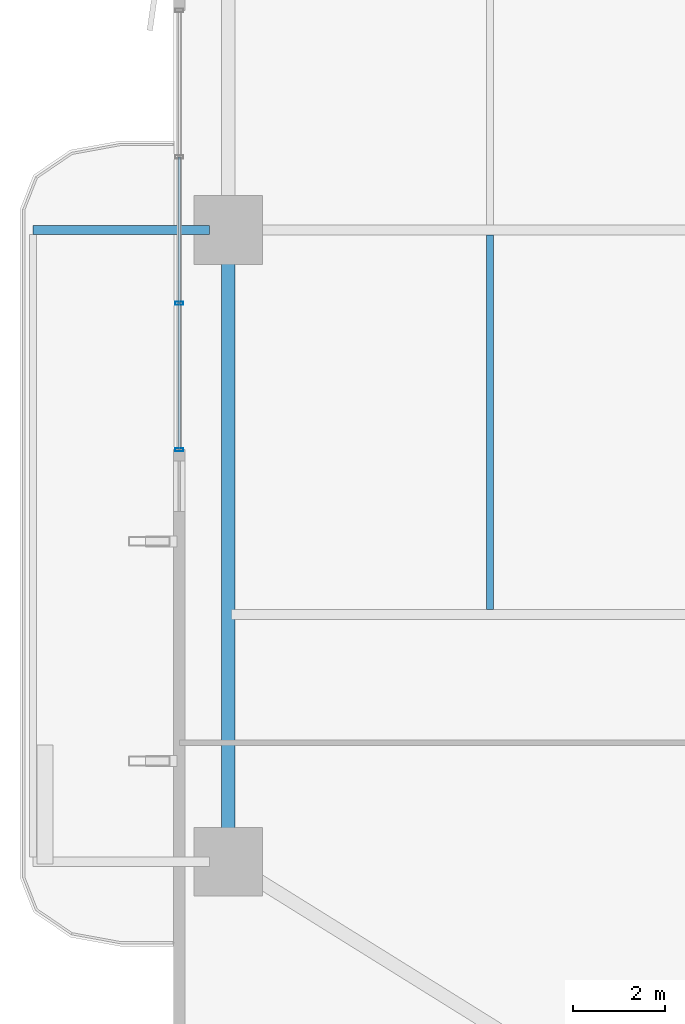
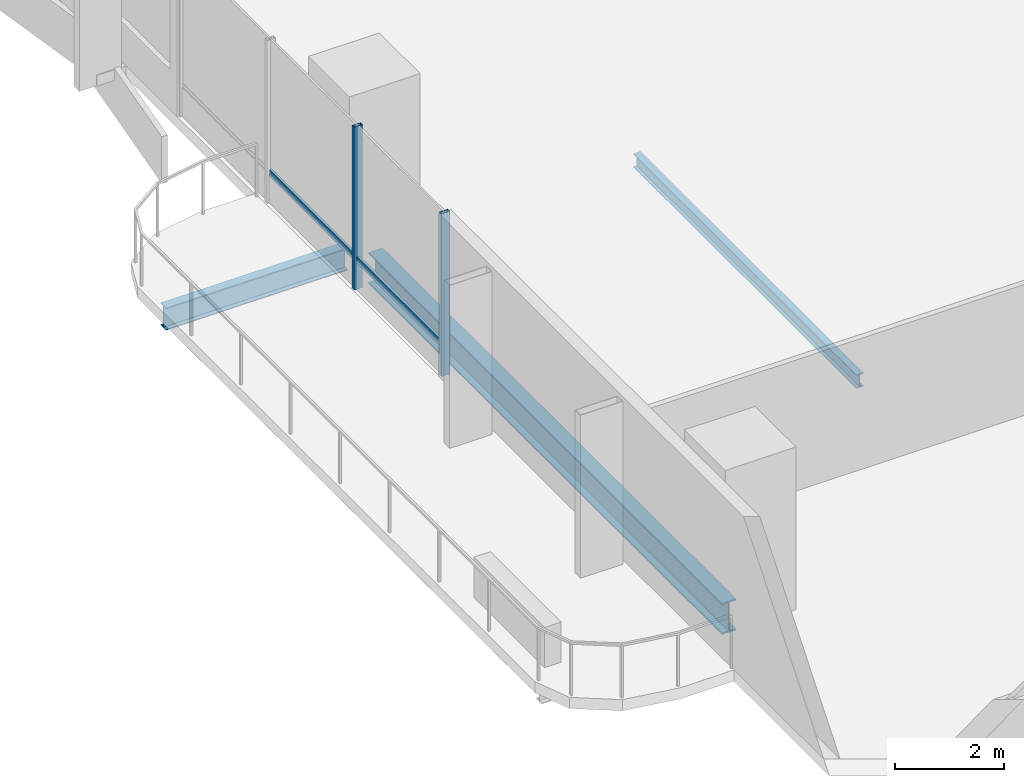
# One storey, part 4 of 24: 4 members, 3 beams, 1 element without a shape of its own.
"""IFC4 building model written with IfcOpenShell, lengths in metres."""

import ifcopenshell
import ifcopenshell.guid

model = None  # the IFC model being written
_history = None  # IfcOwnerHistory: only IFC2X3 demands one
_inside = {}  # id of a spatial element -> (the spatial element, [elements in it])
_under = {}  # id of a project, library or spatial element -> (it, [spatial elements below it])
_declared = {}  # id of a project -> (the project, [libraries it declares])
_typed = {}  # id of a type object -> (the type object, [elements of that type])
_made_of = {}  # id of a material, layer set ... -> (it, [elements and type objects made of it])


def new_model(schema):
    """Start an empty IFC model of exactly this schema.

    Asked for "IFC4X3", IfcOpenShell would pick the latest addendum, in which some entities
    have other attributes; the version numbers below select the first issue.
    IFC2X3 requires an IfcOwnerHistory on every rooted entity: one is made here for all.
    """
    global model, _history
    if schema == "IFC4X3":
        model = ifcopenshell.file(schema_version=(4, 3, 0, 0))
    else:
        model = ifcopenshell.file(schema=schema)
    _inside.clear()
    _under.clear()
    _declared.clear()
    _typed.clear()
    _made_of.clear()
    _history = None
    if model.schema == "IFC2X3":
        org = make("IfcOrganization", Name="unknown")
        user = make(
            "IfcPersonAndOrganization",
            ThePerson=make("IfcPerson", FamilyName="unknown"),
            TheOrganization=org,
        )
        app = make(
            "IfcApplication",
            ApplicationDeveloper=org,
            Version="unknown",
            ApplicationFullName="unknown",
            ApplicationIdentifier="unknown",
        )
        _history = make(
            "IfcOwnerHistory",
            OwningUser=user,
            OwningApplication=app,
            ChangeAction="ADDED",
            CreationDate=0,
        )
    return model


def make(cls, **values):
    """One entity of the class cls with the attributes given. An attribute that is None is left unset."""
    return model.create_entity(
        cls, **{name: value for name, value in values.items() if value is not None}
    )


def rooted(cls, **values):
    """An entity with a GlobalId (a new one), such as an element, a storey or a relation."""
    return make(cls, GlobalId=ifcopenshell.guid.new(), OwnerHistory=_history, **values)


def si_unit(unit_type, name, prefix=None):
    """IfcSIUnit, for example si_unit("LENGTHUNIT", "METRE", prefix="MILLI")."""
    return make("IfcSIUnit", UnitType=unit_type, Prefix=prefix, Name=name)


def assignment(units):
    """IfcUnitAssignment: the units of a project."""
    return None if units is None else make("IfcUnitAssignment", Units=units)


def point(xyz):
    """IfcCartesianPoint."""
    return None if xyz is None else make("IfcCartesianPoint", Coordinates=xyz)


def direction(xyz):
    """IfcDirection."""
    return None if xyz is None else make("IfcDirection", DirectionRatios=xyz)


def frame(location, z_axis=None, x_axis=None):
    """IfcAxis2Placement3D, a coordinate frame: its origin and axes. An axis left out is left unset."""
    return make(
        "IfcAxis2Placement3D",
        Location=point(location),
        Axis=direction(z_axis),
        RefDirection=direction(x_axis),
    )


def frame_2d(location, x_axis=None):
    """IfcAxis2Placement2D, a coordinate frame in the plane: its origin and x axis."""
    return make(
        "IfcAxis2Placement2D", Location=point(location), RefDirection=direction(x_axis)
    )


def origin():
    """The frame at (0, 0, 0) with its axes left unset."""
    return frame((0.0, 0.0, 0.0))


def origin_2d():
    """The frame at (0, 0) in the plane with its x axis left unset."""
    return frame_2d((0.0, 0.0))


def place(relative_to, where):
    """IfcLocalPlacement: puts the frame where relative to a parent placement (None: the world)."""
    return make(
        "IfcLocalPlacement", PlacementRelTo=relative_to, RelativePlacement=where
    )


def context(
    kind, dimensions, precision=None, world=None, true_north=None, identifier=None
):
    """IfcGeometricRepresentationContext, for example the 3D "Model" context."""
    return make(
        "IfcGeometricRepresentationContext",
        ContextIdentifier=identifier,
        ContextType=kind,
        CoordinateSpaceDimension=dimensions,
        Precision=precision,
        WorldCoordinateSystem=world,
        TrueNorth=true_north,
    )


def subcontext(parent, identifier, kind, view, scale=None):
    """IfcGeometricRepresentationSubContext, for example "Body" below "Model"."""
    return make(
        "IfcGeometricRepresentationSubContext",
        ContextIdentifier=identifier,
        ContextType=kind,
        ParentContext=parent,
        TargetScale=scale,
        TargetView=view,
    )


def project(units=None, contexts=None):
    """IfcProject with its units and contexts."""
    return rooted(
        "IfcProject",
        Name="project",
        RepresentationContexts=contexts,
        UnitsInContext=assignment(units),
    )


def spatial(cls, under=None, at=None, **own):
    """A site, building, storey or space (cls), placed at a placement, below another one or the project."""
    s = rooted(cls, ObjectPlacement=at, **own)
    if under is not None:
        _under.setdefault(under.id(), (under, []))[1].append(s)
    return s


def profile(cls, at=None, kind="AREA", **sizes):
    """A parametric profile (cls). Its sizes go by their IFC names, for example OverallWidth=200.0."""
    return make(cls, ProfileType=kind, Position=at, **sizes)


def hollow_rectangle(**sizes):
    """IfcRectangleHollowProfileDef."""
    return profile("IfcRectangleHollowProfileDef", **sizes)


def i_section(**sizes):
    """IfcIShapeProfileDef."""
    return profile("IfcIShapeProfileDef", **sizes)


def extrude(swept, where, along, depth):
    """IfcExtrudedAreaSolid: the profile swept, set in the frame where, extruded along a direction by depth."""
    return make(
        "IfcExtrudedAreaSolid",
        SweptArea=swept,
        Position=where,
        ExtrudedDirection=direction(along),
        Depth=depth,
    )


def shape(context_of_items, identifier, shape_type, items):
    """IfcShapeRepresentation: the items that make up one representation, for example the "Body"."""
    return make(
        "IfcShapeRepresentation",
        ContextOfItems=context_of_items,
        RepresentationIdentifier=identifier,
        RepresentationType=shape_type,
        Items=items,
    )


def material(Name=None, Category=None):
    """IfcMaterial."""
    return make("IfcMaterial", Name=Name, Category=Category)


def layer(
    of_material, thickness, ventilated=None, Name=None, Category=None, Priority=None
):
    """IfcMaterialLayer: one layer of a wall or slab, of a material (None: an air gap)."""
    return make(
        "IfcMaterialLayer",
        Material=of_material,
        LayerThickness=thickness,
        IsVentilated=ventilated,
        Name=Name,
        Category=Category,
        Priority=Priority,
    )


def layer_set(layers, Name=None):
    """IfcMaterialLayerSet."""
    return make("IfcMaterialLayerSet", MaterialLayers=layers, LayerSetName=Name)


def material_profile(
    of_material, cross_section, Name=None, Category=None, Priority=None
):
    """IfcMaterialProfile: a cross section and its material."""
    return make(
        "IfcMaterialProfile",
        Name=Name,
        Material=of_material,
        Profile=cross_section,
        Priority=Priority,
        Category=Category,
    )


def profile_set(profiles, Name=None, composite=None):
    """IfcMaterialProfileSet."""
    return make(
        "IfcMaterialProfileSet",
        Name=Name,
        MaterialProfiles=profiles,
        CompositeProfile=composite,
    )


def made_of(thing, what):
    """Note that an element or type object is made of a material, layer set ...; save() writes the relation."""
    if what is not None:
        _made_of.setdefault(what.id(), (what, []))[1].append(thing)
    return thing


def type_object(cls, material=None, **own):
    """A type object (cls), such as IfcWallType, which elements share."""
    return made_of(rooted(cls, **own), material)


def element(
    cls,
    number,
    at=None,
    inside=None,
    cuts=None,
    type_object=None,
    material=None,
    context=None,
    identifier="Body",
    shape_type=None,
    held_by="IfcProductDefinitionShape",
    body=None,
    shapes=None,
    **own,
):
    """One element of the class cls, such as IfcWall. Its Tag is "e" and its number.

    at: its placement. inside: the storey or other place that contains it. cuts: it is an
    opening in that element (IfcRelVoidsElement). A single representation is given by context,
    identifier, shape_type and body (its items); several are given by shapes. held_by: the class
    of the entity that holds the representations. save() writes the other relations.
    """
    e = rooted(cls, Tag="e%d" % number, ObjectPlacement=at, **own)
    if body is not None:
        shapes = [shape(context, identifier, shape_type, body)]
    if shapes is not None:
        e.Representation = make(held_by, Representations=shapes)
    if inside is not None:
        _inside.setdefault(inside.id(), (inside, []))[1].append(e)
    if cuts is not None:
        rooted(
            "IfcRelVoidsElement", RelatingBuildingElement=cuts, RelatedOpeningElement=e
        )
    if type_object is not None:
        _typed.setdefault(type_object.id(), (type_object, []))[1].append(e)
    return made_of(e, material)


def aggregate(whole, parts):
    """IfcRelAggregates: a whole, such as a stair, and the parts it consists of."""
    return rooted("IfcRelAggregates", RelatingObject=whole, RelatedObjects=parts)


def save(model, path):
    """Write the relations noted so far, then the file.

    IfcRelAggregates (storeys below a building ...), IfcRelContainedInSpatialStructure (elements
    in a storey), IfcRelDefinesByType, IfcRelAssociatesMaterial and IfcRelDeclares: one each for
    every whole, place, type object, material and project.
    """
    for whole, parts in _under.values():
        aggregate(whole, parts)
    for where, things in _inside.values():
        rooted(
            "IfcRelContainedInSpatialStructure",
            RelatedElements=things,
            RelatingStructure=where,
        )
    for kind, things in _typed.values():
        rooted("IfcRelDefinesByType", RelatedObjects=things, RelatingType=kind)
    for what, things in _made_of.values():
        rooted("IfcRelAssociatesMaterial", RelatedObjects=things, RelatingMaterial=what)
    for by, libraries in _declared.values():
        rooted("IfcRelDeclares", RelatingContext=by, RelatedDefinitions=libraries)
    model.write(path)


model = new_model("IFC4")

# Units and contexts
model_context = context("Model", 3, precision=1e-05, world=origin(), true_north=direction((0.0, 1.0)))
body_context = subcontext(model_context, "Body", "Model", "MODEL_VIEW")
ifc_project = project(units=[si_unit("LENGTHUNIT", "METRE"), si_unit("AREAUNIT", "SQUARE_METRE"), si_unit("VOLUMEUNIT", "CUBIC_METRE"), si_unit("PLANEANGLEUNIT", "RADIAN"), si_unit("MASSUNIT", "GRAM", prefix="KILO")], contexts=[model_context])

# Site, building, storey
site_placement = place(None, origin())
site = spatial("IfcSite", under=ifc_project, at=site_placement, CompositionType="ELEMENT")
building_placement = place(site_placement, origin())
building = spatial("IfcBuilding", under=site, at=building_placement, Name="Belovzor Exchange Tower", CompositionType="ELEMENT")
storey_placement = place(building_placement, frame((0.0, 0.0, 96.300048828125)))
storey = spatial("IfcBuildingStorey", under=building, at=storey_placement, Name="L23", CompositionType="ELEMENT", Elevation=96.300048828125)

# Beams
ifc_material_1 = material(Name="Steel S355", Category="steel")
ifc_material_profile_1 = material_profile(ifc_material_1, i_section(OverallWidth=0.199951171875, OverallDepth=0.5, WebThickness=0.01025390625, FlangeThickness=0.01611328125, at=origin_2d()))
ifc_profile_set_1 = profile_set([ifc_material_profile_1], Name="Steel S355")
beam_type_1 = type_object("IfcBeamType", Name="Planted Balcony Cantilever Beam IPE 500", PredefinedType="BEAM", material=ifc_profile_set_1)
beam_1_placement = place(storey_placement, frame((1.68798828125, 28.800048828125, -0.5), z_axis=(-1.0, 0.0, 0.0), x_axis=(0.0, -1.0, 0.0)))
element("IfcBeam", 1, at=beam_1_placement, inside=storey, type_object=beam_type_1, Name="BC-500 Planted Balcony Cantilever Beam IPE 500", PredefinedType="BEAM", context=body_context, shape_type="SweptSolid", body=[
    extrude(i_section(OverallWidth=0.199951171875, OverallDepth=0.5, WebThickness=0.01025390625, FlangeThickness=0.01611328125, at=origin_2d()), origin(), (0.0, 0.0, 1.0), 3.85009765625),
])
ifc_material_2 = material(Name="Steel S355", Category="steel")
ifc_material_profile_2 = material_profile(ifc_material_2, i_section(OverallWidth=0.14990234375, OverallDepth=0.300048828125, WebThickness=0.007080078125, FlangeThickness=0.0107421875, at=origin_2d()))
ifc_profile_set_2 = profile_set([ifc_material_profile_2], Name="Steel S355")
beam_type_2 = type_object("IfcBeamType", Name="Secondary Trim Floor Joist IPE 300", PredefinedType="BEAM", material=ifc_profile_set_2)
beam_2_placement = place(storey_placement, frame((7.81494140625, 20.5048828125, -0.400146484375), z_axis=(0.0, 1.0, 0.0), x_axis=(-1.0, 0.0, 0.0)))
element("IfcBeam", 2, at=beam_2_placement, inside=storey, type_object=beam_type_2, Name="FJ-300 Secondary Trim Floor Joist IPE 300", PredefinedType="BEAM", context=body_context, shape_type="SweptSolid", body=[
    extrude(i_section(OverallWidth=0.14990234375, OverallDepth=0.300048828125, WebThickness=0.007080078125, FlangeThickness=0.0107421875, at=origin_2d()), origin(), (0.0, 0.0, 1.0), 8.190185546875),
])

# Curtain wall, members
ifc_material_3 = material(Name="Anodised Aluminium Framing", Category="aluminium")
ifc_layer = layer(ifc_material_3, 0.179931640625)
ifc_layer_set = layer_set([ifc_layer], Name="Anodised Aluminium Framing")
curtain_wall_type = type_object("IfcCurtainWallType", Name="Recessed Loggia Low-Iron Triple-Glazed Curtain Wall", PredefinedType="NOTDEFINED", material=ifc_layer_set)
curtain_wall_placement = place(storey_placement, origin())
curtain_wall = element("IfcCurtainWall", 3, at=curtain_wall_placement, inside=storey, type_object=curtain_wall_type, Name="CW3 Recessed Loggia Low-Iron Triple-Glazed Curtain Wall L23", PredefinedType="NOTDEFINED")
ifc_material_4 = material(Name="Steel S355", Category="steel")
ifc_material_profile_3 = material_profile(ifc_material_4, hollow_rectangle(XDim=0.074951171875, YDim=0.179931640625, WallThickness=0.0048828125, at=origin_2d()))
ifc_profile_set_3 = profile_set([ifc_material_profile_3], Name="Steel S355")
member_type_1 = type_object("IfcMemberType", Name="Thermally Broken Curtain Wall Mullion 180x75", PredefinedType="MULLION", material=ifc_profile_set_3)
member_1_placement = place(storey_placement, frame((1.030029296875, 24.0, 0.0), z_axis=(0.0, 0.0, 1.0), x_axis=(0.0, 1.0, 0.0)))
member_1 = element("IfcMember", 4, at=member_1_placement, type_object=member_type_1, Name="CW-M180 Curtain Wall Mullion 1", PredefinedType="MULLION", context=body_context, shape_type="SweptSolid", body=[
    extrude(hollow_rectangle(XDim=0.074951171875, YDim=0.179931640625, WallThickness=0.0048828125, at=origin_2d()), origin(), (0.0, 0.0, 1.0), 3.64990234375),
])
member_2_placement = place(storey_placement, frame((1.030029296875, 27.199951171875, 0.0), z_axis=(0.0, 0.0, 1.0), x_axis=(0.0, 1.0, 0.0)))
member_2 = element("IfcMember", 5, at=member_2_placement, type_object=member_type_1, Name="CW-M180 Curtain Wall Mullion 2", PredefinedType="MULLION", context=body_context, shape_type="SweptSolid", body=[
    extrude(hollow_rectangle(XDim=0.074951171875, YDim=0.179931640625, WallThickness=0.0048828125, at=origin_2d()), origin(), (0.0, 0.0, 1.0), 3.64990234375),
])
ifc_material_5 = material(Name="Steel S355", Category="steel")
ifc_material_profile_4 = material_profile(ifc_material_5, hollow_rectangle(XDim=0.06005859375, YDim=0.14990234375, WallThickness=0.00390625, at=origin_2d()))
ifc_profile_set_4 = profile_set([ifc_material_profile_4], Name="Steel S355")
member_type_2 = type_object("IfcMemberType", Name="Thermally Broken Curtain Wall Transom 150x60", PredefinedType="USERDEFINED", material=ifc_profile_set_4)
member_3_placement = place(storey_placement, frame((1.030029296875, 24.008056640625, 0.64990234375), z_axis=(0.0, 1.0, 0.0), x_axis=(-1.0, 0.0, 0.0)))
member_3 = element("IfcMember", 6, at=member_3_placement, type_object=member_type_2, Name="CW-T150 Curtain Wall Transom 1", ObjectType="TRANSOM", PredefinedType="USERDEFINED", context=body_context, shape_type="SweptSolid", body=[
    extrude(hollow_rectangle(XDim=0.06005859375, YDim=0.14990234375, WallThickness=0.00390625, at=origin_2d()), origin(), (0.0, 0.0, 1.0), 3.183837890625),
])
member_4_placement = place(storey_placement, frame((1.030029296875, 27.2080078125, 0.64990234375), z_axis=(0.0, 1.0, 0.0), x_axis=(-1.0, 0.0, 0.0)))
member_4 = element("IfcMember", 7, at=member_4_placement, type_object=member_type_2, Name="CW-T150 Curtain Wall Transom 2", ObjectType="TRANSOM", PredefinedType="USERDEFINED", context=body_context, shape_type="SweptSolid", body=[
    extrude(hollow_rectangle(XDim=0.06005859375, YDim=0.14990234375, WallThickness=0.00390625, at=origin_2d()), origin(), (0.0, 0.0, 1.0), 3.18408203125),
])
aggregate(curtain_wall, [member_1, member_2, member_3, member_4])

# Beam
ifc_material_6 = material(Name="Steel S355", Category="steel")
ifc_material_profile_5 = material_profile(ifc_material_6, i_section(OverallWidth=0.300048828125, OverallDepth=0.699951171875, WebThickness=0.01708984375, FlangeThickness=0.031982421875, at=origin_2d()))
ifc_profile_set_5 = profile_set([ifc_material_profile_5], Name="Steel S355")
beam_type_3 = type_object("IfcBeamType", Name="Zone 1 Primary Perimeter Girder HEB 700", PredefinedType="BEAM", material=ifc_profile_set_5)
beam_3_placement = place(storey_placement, frame((2.10009765625, 28.386962890625, -0.60009765625), z_axis=(0.0, -1.0, 0.0), x_axis=(1.0, 0.0, 0.0)))
element("IfcBeam", 8, at=beam_3_placement, inside=storey, type_object=beam_type_3, Name="FG-Z1 Zone 1 Primary Perimeter Girder HEB 700", PredefinedType="BEAM", context=body_context, shape_type="SweptSolid", body=[
    extrude(i_section(OverallWidth=0.300048828125, OverallDepth=0.699951171875, WebThickness=0.01708984375, FlangeThickness=0.031982421875, at=origin_2d()), origin(), (0.0, 0.0, 1.0), 12.974853515625),
])

save(model, "model.ifc")
